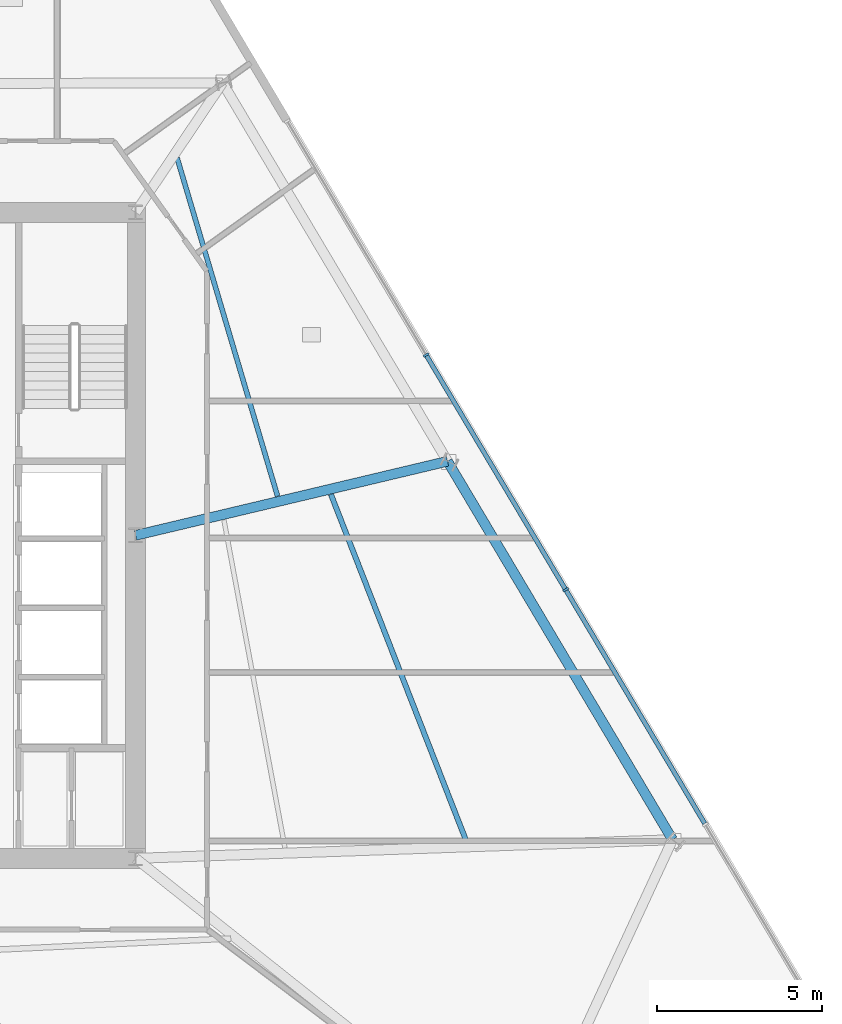
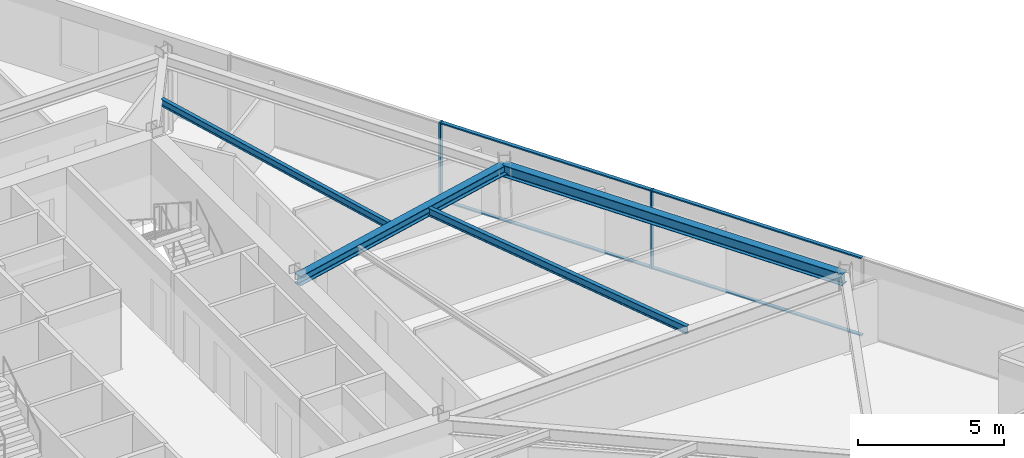
# One storey, part 6 of 16: 6 members, 4 beams, 1 element without a shape of its own.
"""IFC4 building model written with IfcOpenShell, lengths in metres."""

from ifc_helpers import new_model, si_unit, direction, frame, origin, origin_2d, place, context, subcontext, project, spatial, rectangle, i_section, extrude, material, material_profile, profile_set, type_object, element, aggregate, save


model = new_model("IFC4")

# Units and contexts
model_context = context("Model", 3, precision=1e-05, world=origin(), true_north=direction((0.0, 1.0)))
body_context = subcontext(model_context, "Body", "Model", "MODEL_VIEW")
ifc_project = project(units=[si_unit("LENGTHUNIT", "METRE"), si_unit("AREAUNIT", "SQUARE_METRE"), si_unit("VOLUMEUNIT", "CUBIC_METRE"), si_unit("PLANEANGLEUNIT", "RADIAN"), si_unit("MASSUNIT", "GRAM", prefix="KILO")], contexts=[model_context])

# Site, building, storey
site_placement = place(None, origin())
site = spatial("IfcSite", under=ifc_project, at=site_placement, CompositionType="ELEMENT")
building_placement = place(site_placement, origin())
building = spatial("IfcBuilding", under=site, at=building_placement, Name="Savorim Split Tower", CompositionType="ELEMENT")
storey_placement = place(building_placement, frame((0.0, 0.0, 69.60009765625)))
storey = spatial("IfcBuildingStorey", under=building, at=storey_placement, Name="L18", CompositionType="ELEMENT", Elevation=69.60009765625)

# Beams
ifc_material_1 = material(Name="Steel S355", Category="steel")
ifc_material_profile_1 = material_profile(ifc_material_1, i_section(OverallWidth=0.14990234375, OverallDepth=0.300048828125, WebThickness=0.007080078125, FlangeThickness=0.0107421875, FilletRadius=0.014892578125, at=origin_2d()), Name="IPE 300")
ifc_profile_set_1 = profile_set([ifc_material_profile_1], Name="Steel S355")
beam_type_1 = type_object("IfcBeamType", Name="BM-JST-IPE300", PredefinedType="JOIST", material=ifc_profile_set_1)
beam_1_placement = place(storey_placement, frame((12.00830078125, 1.587890625, 3.1298828125), z_axis=(-0.284749505263, 0.958601960801, 0.0), x_axis=(-0.958601960801, -0.284749505263, 0.0)))
element("IfcBeam", 1, at=beam_1_placement, inside=storey, type_object=beam_type_1, Name="L18 Secondary Floor Joist JS-07", PredefinedType="JOIST", context=body_context, shape_type="SweptSolid", body=[
    extrude(i_section(OverallWidth=0.14990234375, OverallDepth=0.300048828125, WebThickness=0.007080078125, FlangeThickness=0.0107421875, FilletRadius=0.014892578125, at=origin_2d()), origin(), (0.0, 0.0, 1.0), 10.71044921875),
])
ifc_material_profile_2 = material_profile(ifc_material_1, i_section(OverallWidth=0.159912109375, OverallDepth=0.330078125, WebThickness=0.007568359375, FlangeThickness=0.011474609375, FilletRadius=0.01806640625, at=origin_2d()), Name="IPE 330")
ifc_profile_set_2 = profile_set([ifc_material_profile_2], Name="Steel S355")
beam_type_2 = type_object("IfcBeamType", Name="BM-JST-IPE330", PredefinedType="JOIST", material=ifc_profile_set_2)
beam_2_placement = place(storey_placement, frame((17.743408203125, -8.900390625, 3.114990234375), z_axis=(-0.363688555296, 0.931520603501, 0.0), x_axis=(-0.931520603501, -0.363688555296, 0.0)))
element("IfcBeam", 2, at=beam_2_placement, inside=storey, type_object=beam_type_2, Name="L18 Secondary Floor Joist JS-06", PredefinedType="JOIST", context=body_context, shape_type="SweptSolid", body=[
    extrude(i_section(OverallWidth=0.159912109375, OverallDepth=0.330078125, WebThickness=0.007568359375, FlangeThickness=0.011474609375, FilletRadius=0.01806640625, at=origin_2d()), origin(), (0.0, 0.0, 1.0), 11.320556640625),
])
ifc_material_profile_3 = material_profile(ifc_material_1, i_section(OverallWidth=0.300048828125, OverallDepth=0.39990234375, WebThickness=0.013427734375, FlangeThickness=0.02392578125, FilletRadius=0.027099609375, at=origin_2d()), Name="HEB 400")
ifc_profile_set_3 = profile_set([ifc_material_profile_3], Name="Steel S355")
beam_type_3 = type_object("IfcBeamType", Name="BM-PRI-HEB400", PredefinedType="BEAM", material=ifc_profile_set_3)
beam_3_placement = place(storey_placement, frame((17.164794921875, 2.648681640625, 3.079833984375), z_axis=(-0.972916235685, -0.231157951065, 0.0), x_axis=(0.231157951065, -0.972916235685, 0.0)))
element("IfcBeam", 3, at=beam_3_placement, inside=storey, type_object=beam_type_3, Name="L18 Primary Floor Girder RG-06", PredefinedType="BEAM", context=body_context, shape_type="SweptSolid", body=[
    extrude(i_section(OverallWidth=0.300048828125, OverallDepth=0.39990234375, WebThickness=0.013427734375, FlangeThickness=0.02392578125, FilletRadius=0.027099609375, at=origin_2d()), origin(), (0.0, 0.0, 1.0), 9.728271484375),
])
ifc_material_profile_4 = material_profile(ifc_material_1, i_section(OverallWidth=0.300048828125, OverallDepth=0.489990234375, WebThickness=0.011962890625, FlangeThickness=0.02294921875, FilletRadius=0.027099609375, at=origin_2d()), Name="HEA 500")
ifc_profile_set_4 = profile_set([ifc_material_profile_4], Name="Steel S355")
beam_type_4 = type_object("IfcBeamType", Name="BM-SPN-HEA500", PredefinedType="SPANDREL", material=ifc_profile_set_4)
beam_4_placement = place(storey_placement, frame((23.99267578125, -8.83447265625, 3.034912109375), z_axis=(-0.51107867693, 0.859533935332, 0.0), x_axis=(-0.859533935332, -0.51107867693, 0.0)))
element("IfcBeam", 4, at=beam_4_placement, inside=storey, type_object=beam_type_4, Name="L18 Perimeter Spandrel Beam 5", PredefinedType="SPANDREL", context=body_context, shape_type="SweptSolid", body=[
    extrude(i_section(OverallWidth=0.300048828125, OverallDepth=0.489990234375, WebThickness=0.011962890625, FlangeThickness=0.02294921875, FilletRadius=0.027099609375, at=origin_2d()), origin(), (0.0, 0.0, 1.0), 13.35986328125),
])

# Curtain wall, members
ifc_material_2 = material(Name="Dark Ceramic-Fritted Insulated Glass", Category="glass")
curtain_wall_type = type_object("IfcCurtainWallType", Name="CW-TWR-FRIT-A", PredefinedType="NOTDEFINED", material=ifc_material_2)
curtain_wall_placement = place(storey_placement, origin())
curtain_wall = element("IfcCurtainWall", 5, at=curtain_wall_placement, inside=storey, type_object=curtain_wall_type, Name="L18 Curtain Wall CW-L18-EAST", PredefinedType="NOTDEFINED")
ifc_material_3 = material(Name="Charcoal Anodised Aluminium", Category="aluminium")
ifc_material_profile_5 = material_profile(ifc_material_3, rectangle(XDim=0.179931640625, YDim=0.06494140625, at=origin_2d()), Name="ALU-M 180x65")
ifc_profile_set_5 = profile_set([ifc_material_profile_5], Name="Charcoal Anodised Aluminium")
member_type_1 = type_object("IfcMemberType", Name="CWM-180x65", PredefinedType="MULLION", material=ifc_profile_set_5)
member_1_placement = place(storey_placement, frame((20.750244140625, -1.248779296875, 0.0), z_axis=(0.0, 0.0, 1.0), x_axis=(-0.859525822673, -0.511092320583, 0.0)))
member_1 = element("IfcMember", 6, at=member_1_placement, type_object=member_type_1, Name="CW-02 mullion 3", PredefinedType="MULLION", context=body_context, shape_type="SweptSolid", body=[
    extrude(rectangle(XDim=0.179931640625, YDim=0.06494140625, at=origin_2d()), origin(), (0.0, 0.0, 1.0), 3.27978515625),
])
member_2_placement = place(storey_placement, frame((16.51513671875, 5.87353515625, 0.0), z_axis=(0.0, 0.0, 1.0), x_axis=(-0.859525822673, -0.511092320583, 0.0)))
member_2 = element("IfcMember", 7, at=member_2_placement, type_object=member_type_1, Name="CW-02 mullion 4", PredefinedType="MULLION", context=body_context, shape_type="SweptSolid", body=[
    extrude(rectangle(XDim=0.179931640625, YDim=0.06494140625, at=origin_2d()), origin(), (0.0, 0.0, 1.0), 3.27978515625),
])
ifc_material_profile_6 = material_profile(ifc_material_3, rectangle(XDim=0.139892578125, YDim=0.054931640625, at=origin_2d()), Name="ALU-T 140x55")
ifc_profile_set_6 = profile_set([ifc_material_profile_6], Name="Charcoal Anodised Aluminium")
member_type_2 = type_object("IfcMemberType", Name="CWT-140x55", PredefinedType="USERDEFINED", material=ifc_profile_set_6)
member_3_placement = place(storey_placement, frame((24.96875, -8.343505859375, 0.02734375), z_axis=(-0.511085472891, 0.859529894419, 0.0), x_axis=(-0.859529894419, -0.511085472891, 0.0)))
member_3 = element("IfcMember", 8, at=member_3_placement, type_object=member_type_2, Name="CW-02 transom 2.1", ObjectType="TRANSOM", PredefinedType="USERDEFINED", context=body_context, shape_type="SweptSolid", body=[
    extrude(rectangle(XDim=0.139892578125, YDim=0.054931640625, at=origin_2d()), origin(), (0.0, 0.0, 1.0), 8.221435546875),
])
member_4_placement = place(storey_placement, frame((24.96875, -8.343505859375, 3.25244140625), z_axis=(-0.511085472891, 0.859529894419, 0.0), x_axis=(-0.859529894419, -0.511085472891, 0.0)))
member_4 = element("IfcMember", 9, at=member_4_placement, type_object=member_type_2, Name="CW-02 transom 2.2", ObjectType="TRANSOM", PredefinedType="USERDEFINED", context=body_context, shape_type="SweptSolid", body=[
    extrude(rectangle(XDim=0.139892578125, YDim=0.054931640625, at=origin_2d()), origin(), (0.0, 0.0, 1.0), 8.221435546875),
])
member_5_placement = place(storey_placement, frame((20.733642578125, -1.220947265625, 0.02734375), z_axis=(-0.511085472891, 0.859529894419, 0.0), x_axis=(-0.859529894419, -0.511085472891, 0.0)))
member_5 = element("IfcMember", 10, at=member_5_placement, type_object=member_type_2, Name="CW-02 transom 3.1", ObjectType="TRANSOM", PredefinedType="USERDEFINED", context=body_context, shape_type="SweptSolid", body=[
    extrude(rectangle(XDim=0.139892578125, YDim=0.054931640625, at=origin_2d()), origin(), (0.0, 0.0, 1.0), 8.221435546875),
])
member_6_placement = place(storey_placement, frame((20.733642578125, -1.220947265625, 3.25244140625), z_axis=(-0.511085472891, 0.859529894419, 0.0), x_axis=(-0.859529894419, -0.511085472891, 0.0)))
member_6 = element("IfcMember", 11, at=member_6_placement, type_object=member_type_2, Name="CW-02 transom 3.2", ObjectType="TRANSOM", PredefinedType="USERDEFINED", context=body_context, shape_type="SweptSolid", body=[
    extrude(rectangle(XDim=0.139892578125, YDim=0.054931640625, at=origin_2d()), origin(), (0.0, 0.0, 1.0), 8.221435546875),
])
aggregate(curtain_wall, [member_1, member_2, member_3, member_4, member_5, member_6])

save(model, "model.ifc")
